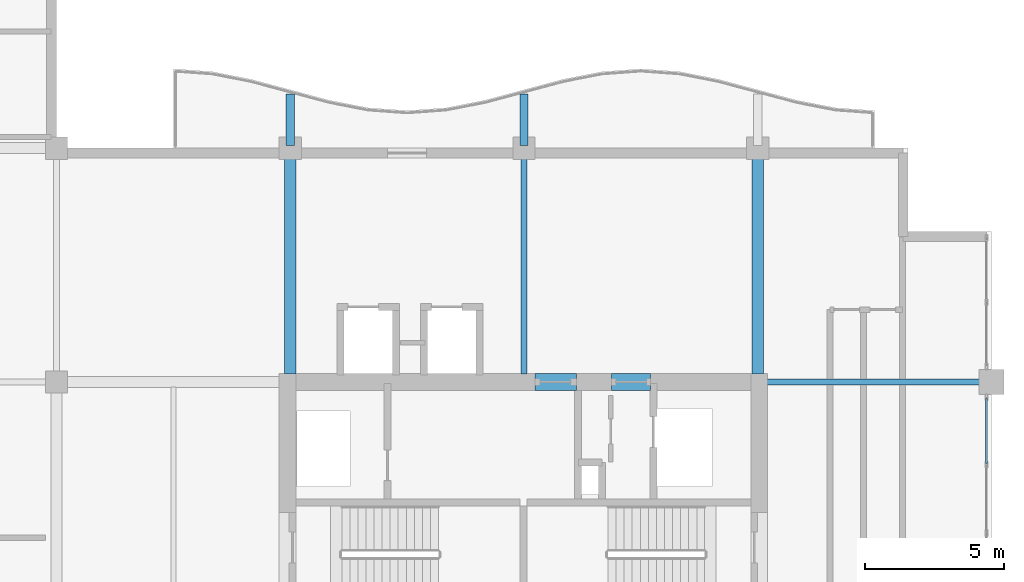
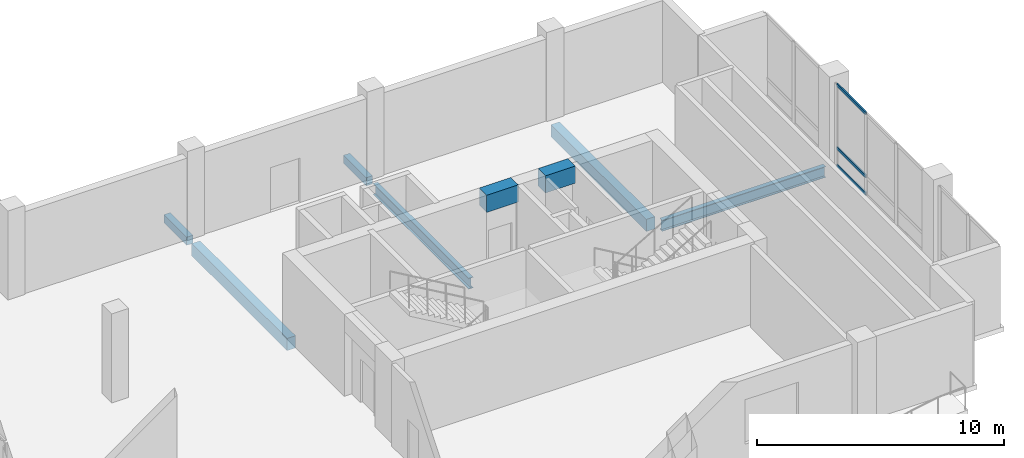
# One storey, part 3 of 15: 8 beams, 3 members, 1 element without a shape of its own.
"""IFC4 building model written with IfcOpenShell, lengths in metres."""

from ifc_helpers import new_model, si_unit, direction, frame, origin, origin_2d, place, context, subcontext, project, spatial, rectangle, hollow_rectangle, i_section, extrude, material, layer, layer_set, material_profile, profile_set, type_object, element, aggregate, save


model = new_model("IFC4")

# Units and contexts
model_context = context("Model", 3, precision=1e-05, world=origin(), true_north=direction((0.0, 1.0)))
body_context = subcontext(model_context, "Body", "Model", "MODEL_VIEW")
ifc_project = project(units=[si_unit("LENGTHUNIT", "METRE"), si_unit("AREAUNIT", "SQUARE_METRE"), si_unit("VOLUMEUNIT", "CUBIC_METRE"), si_unit("PLANEANGLEUNIT", "RADIAN"), si_unit("MASSUNIT", "GRAM", prefix="KILO")], contexts=[model_context])

# Site, building, storey
site_placement = place(None, origin())
site = spatial("IfcSite", under=ifc_project, at=site_placement, CompositionType="ELEMENT")
building_placement = place(site_placement, origin())
building = spatial("IfcBuilding", under=site, at=building_placement, Name="Koriwani Terraces Tower", CompositionType="ELEMENT")
storey_placement = place(building_placement, frame((0.0, 0.0, 290.39990234375)))
storey = spatial("IfcBuildingStorey", under=building, at=storey_placement, Name="L72", CompositionType="ELEMENT", Elevation=290.39990234375)

# Beams
ifc_material_1 = material(Name="Concrete C40/50", Category="concrete")
ifc_material_profile_1 = material_profile(ifc_material_1, rectangle(XDim=0.300048828125, YDim=0.39990234375, at=origin_2d()), Name="Concrete C40/50", Category="LoadBearing")
ifc_profile_set_1 = profile_set([ifc_material_profile_1], Name="Concrete C40/50")
beam_type_1 = type_object("IfcBeamType", Name="BEAM_RC_BALCONY_RIB_300X400", PredefinedType="JOIST", material=ifc_profile_set_1)
for number, where, z_axis, x_axis, name in (
    (1, (42.0, 33.699951171875, -0.429931640625), (0.0, 1.0, 0.0), (-1.0, 0.0, 0.0), "L72 Balcony Bracket Rib NE-1"),
    (2, (50.39990234375, 33.699951171875, -0.429931640625), (0.0, 1.0, 0.0), (-1.0, 0.0, 0.0), "L72 Balcony Bracket Rib NE-2"),
):
    element("IfcBeam", number, at=place(storey_placement, frame(where, z_axis=z_axis, x_axis=x_axis)), inside=storey, type_object=beam_type_1, Name=name, PredefinedType="JOIST", context=body_context, shape_type="SweptSolid", body=[
        extrude(rectangle(XDim=0.300048828125, YDim=0.39990234375, at=origin_2d()), origin(), (0.0, 0.0, 1.0), 1.85009765625),
    ])
ifc_material_2 = material(Name="Concrete C50/60", Category="concrete")
ifc_material_profile_2 = material_profile(ifc_material_2, rectangle(XDim=0.60009765625, YDim=0.85009765625, at=origin_2d()), Name="Concrete C50/60", Category="LoadBearing")
ifc_profile_set_2 = profile_set([ifc_material_profile_2], Name="Concrete C50/60")
beam_type_2 = type_object("IfcBeamType", Name="BEAM_RC_COUPLING_600X850", PredefinedType="LINTEL", material=ifc_profile_set_2)
beam_1_placement = place(storey_placement, frame((50.800048828125, 25.199951171875, 3.625), z_axis=(1.0, 0.0, 0.0), x_axis=(0.0, 1.0, 0.0)))
element("IfcBeam", 3, at=beam_1_placement, inside=storey, type_object=beam_type_2, Name="L72 Core Coupling Lintel Beam EN1", PredefinedType="LINTEL", context=body_context, shape_type="SweptSolid", body=[
    extrude(rectangle(XDim=0.60009765625, YDim=0.85009765625, at=origin_2d()), origin(), (0.0, 0.0, 1.0), 1.47998046875),
])
beam_2_placement = place(storey_placement, frame((53.550048828125, 25.199951171875, 3.625), z_axis=(1.0, 0.0, 0.0), x_axis=(0.0, 1.0, 0.0)))
element("IfcBeam", 4, at=beam_2_placement, inside=storey, type_object=beam_type_2, Name="L72 Core Coupling Lintel Beam EN2", PredefinedType="LINTEL", context=body_context, shape_type="SweptSolid", body=[
    extrude(rectangle(XDim=0.60009765625, YDim=0.85009765625, at=origin_2d()), origin(), (0.0, 0.0, 1.0), 1.39990234375),
])
ifc_material_profile_3 = material_profile(ifc_material_1, rectangle(XDim=0.39990234375, YDim=0.60009765625, at=origin_2d()), Name="Concrete C40/50", Category="LoadBearing")
ifc_profile_set_3 = profile_set([ifc_material_profile_3], Name="Concrete C40/50")
beam_type_3 = type_object("IfcBeamType", Name="BEAM_RC_GRID_400X600", PredefinedType="BEAM", material=ifc_profile_set_3)
for number, where, z_axis, x_axis, name in (
    (5, (42.0, 25.47998046875, -0.52978515625), (0.0, 1.0, 0.0), (-1.0, 0.0, 0.0), "L72 Grid Beam 6 (25.2-33.6m)"),
    (6, (58.800048828125, 25.47998046875, -0.52978515625), (0.0, 1.0, 0.0), (-1.0, 0.0, 0.0), "L72 Grid Beam 8 (25.2-33.6m)"),
):
    element("IfcBeam", number, at=place(storey_placement, frame(where, z_axis=z_axis, x_axis=x_axis)), inside=storey, type_object=beam_type_3, Name=name, PredefinedType="BEAM", context=body_context, shape_type="SweptSolid", body=[
        extrude(rectangle(XDim=0.39990234375, YDim=0.60009765625, at=origin_2d()), origin(), (0.0, 0.0, 1.0), 7.739990234375),
    ])

# Curtain wall, members
ifc_material_3 = material(Name="Anodised Bronze Aluminium", Category="aluminium")
ifc_layer = layer(ifc_material_3, 0.219970703125, Name="Anodised Bronze Aluminium")
ifc_layer_set = layer_set([ifc_layer], Name="Anodised Bronze Aluminium")
curtain_wall_type = type_object("IfcCurtainWallType", Name="CW_SKY_LOUNGE", PredefinedType="NOTDEFINED", material=ifc_layer_set)
curtain_wall_placement = place(storey_placement, origin())
curtain_wall = element("IfcCurtainWall", 7, at=curtain_wall_placement, inside=storey, type_object=curtain_wall_type, Name="L72 Unitised Curtain Wall (E_TIP) Bay 2", PredefinedType="NOTDEFINED")
ifc_material_profile_4 = material_profile(ifc_material_3, hollow_rectangle(XDim=0.06494140625, YDim=0.14990234375, WallThickness=0.0048828125, at=origin_2d()), Name="Anodised Bronze Aluminium", Category="LoadBearing")
ifc_profile_set_4 = profile_set([ifc_material_profile_4], Name="Anodised Bronze Aluminium")
member_type = type_object("IfcMemberType", Name="CW_TRANSOM_150X65", PredefinedType="USERDEFINED", material=ifc_profile_set_4)
member_1_placement = place(storey_placement, frame((67.02490234375, 24.60498046875, 0.03271484375), z_axis=(0.0, -1.0, 0.0), x_axis=(1.0, 0.0, 0.0)))
member_1 = element("IfcMember", 8, at=member_1_placement, type_object=member_type, Name="CW-SKY transom 1.1", ObjectType="TRANSOM", PredefinedType="USERDEFINED", context=body_context, shape_type="SweptSolid", body=[
    extrude(hollow_rectangle(XDim=0.06494140625, YDim=0.14990234375, WallThickness=0.0048828125, at=origin_2d()), origin(), (0.0, 0.0, 1.0), 2.33251953125),
])
member_2_placement = place(storey_placement, frame((67.02490234375, 24.60498046875, 0.900146484375), z_axis=(0.0, -1.0, 0.0), x_axis=(1.0, 0.0, 0.0)))
member_2 = element("IfcMember", 9, at=member_2_placement, type_object=member_type, Name="CW-SKY transom 1.2", ObjectType="TRANSOM", PredefinedType="USERDEFINED", context=body_context, shape_type="SweptSolid", body=[
    extrude(hollow_rectangle(XDim=0.06494140625, YDim=0.14990234375, WallThickness=0.0048828125, at=origin_2d()), origin(), (0.0, 0.0, 1.0), 2.33251953125),
])
member_3_placement = place(storey_placement, frame((67.02490234375, 24.60498046875, 4.017578125), z_axis=(0.0, -1.0, 0.0), x_axis=(1.0, 0.0, 0.0)))
member_3 = element("IfcMember", 10, at=member_3_placement, type_object=member_type, Name="CW-SKY transom 1.3", ObjectType="TRANSOM", PredefinedType="USERDEFINED", context=body_context, shape_type="SweptSolid", body=[
    extrude(hollow_rectangle(XDim=0.06494140625, YDim=0.14990234375, WallThickness=0.0048828125, at=origin_2d()), origin(), (0.0, 0.0, 1.0), 2.33251953125),
])
aggregate(curtain_wall, [member_1, member_2, member_3])

# Beams
ifc_material_4 = material(Name="Steel ASTM A572 Grade 50", Category="steel")
ifc_material_profile_5 = material_profile(ifc_material_4, i_section(OverallWidth=0.2119140625, OverallDepth=0.54296875, WebThickness=0.0126953125, FlangeThickness=0.021240234375, at=origin_2d()), Name="Steel ASTM A572 Grade 50", Category="LoadBearing")
ifc_profile_set_5 = profile_set([ifc_material_profile_5], Name="Steel ASTM A572 Grade 50")
beam_type_4 = type_object("IfcBeamType", Name="STEEL_BEAM_W530X150", PredefinedType="BEAM", material=ifc_profile_set_5)
beam_3_placement = place(storey_placement, frame((59.1298828125, 25.199951171875, -0.50146484375), z_axis=(1.0, 0.0, 0.0), x_axis=(0.0, 1.0, 0.0)))
element("IfcBeam", 11, at=beam_3_placement, inside=storey, type_object=beam_type_4, Name="L72 Grid Beam D (58.8-67.2m)", PredefinedType="BEAM", context=body_context, shape_type="SweptSolid", body=[
    extrude(i_section(OverallWidth=0.2119140625, OverallDepth=0.54296875, WebThickness=0.0126953125, FlangeThickness=0.021240234375, at=origin_2d()), origin(), (0.0, 0.0, 1.0), 7.64013671875),
])
beam_4_placement = place(storey_placement, frame((50.39990234375, 25.47998046875, -0.50146484375), z_axis=(0.0, 1.0, 0.0), x_axis=(-1.0, 0.0, 0.0)))
element("IfcBeam", 12, at=beam_4_placement, inside=storey, type_object=beam_type_4, Name="L72 Grid Beam 7 (25.2-33.6m)", PredefinedType="BEAM", context=body_context, shape_type="SweptSolid", body=[
    extrude(i_section(OverallWidth=0.2119140625, OverallDepth=0.54296875, WebThickness=0.0126953125, FlangeThickness=0.021240234375, at=origin_2d()), origin(), (0.0, 0.0, 1.0), 7.739990234375),
])

save(model, "model.ifc")
